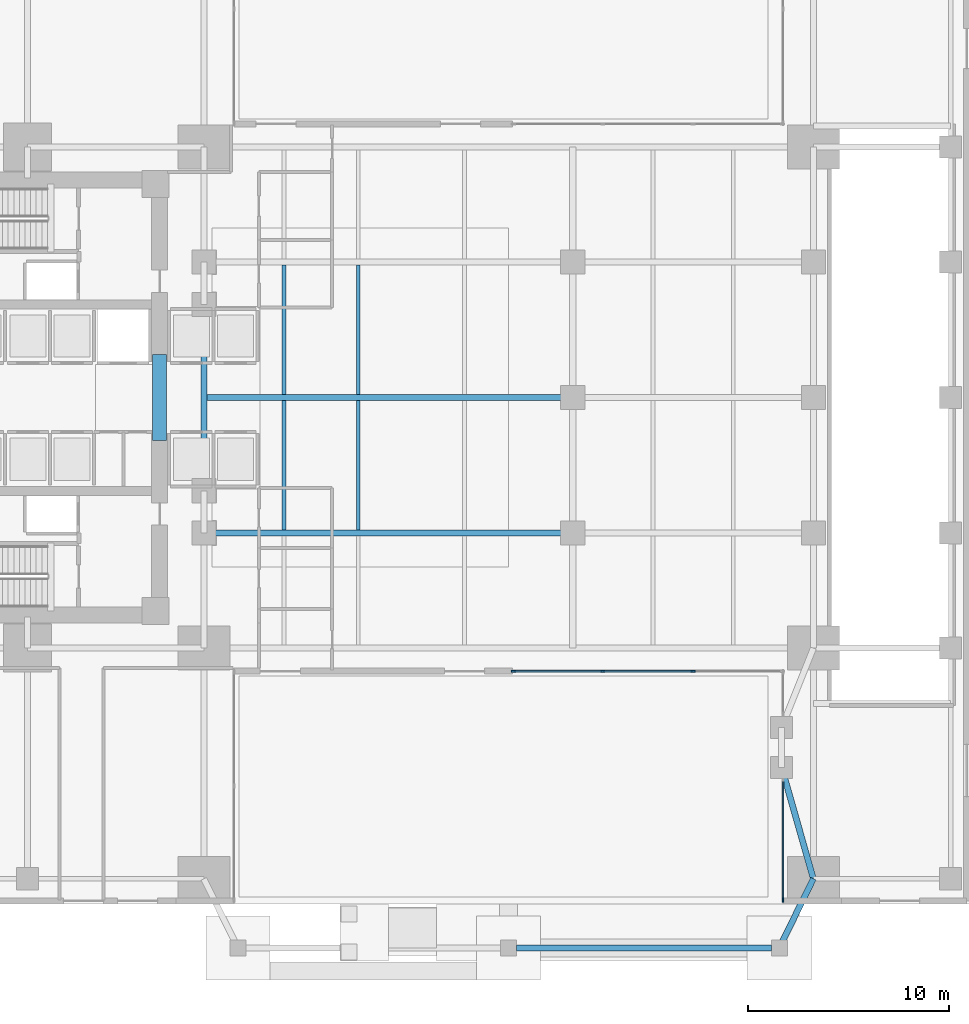
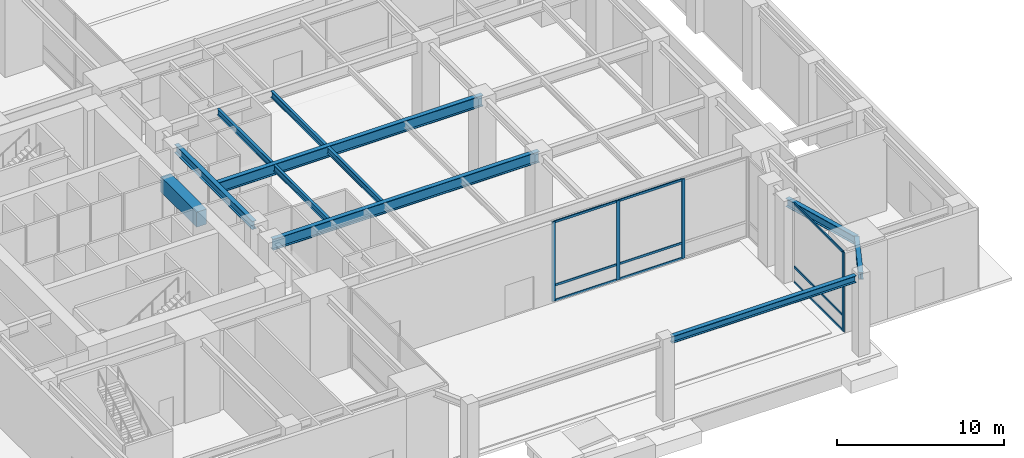
# One storey, part 3 of 17: 13 members, 11 beams, 2 elements without a shape of their own.
"""IFC4 building model written with IfcOpenShell, lengths in metres."""

from ifc_helpers import new_model, si_unit, direction, frame, origin, origin_2d, place, context, subcontext, project, spatial, rectangle, i_section, extrude, material, layer, layer_set, material_profile, profile_set, type_object, element, aggregate, save


model = new_model("IFC4")

# Units and contexts
model_context = context("Model", 3, precision=1e-05, world=origin(), true_north=direction((0.0, 1.0)))
body_context = subcontext(model_context, "Body", "Model", "MODEL_VIEW")
ifc_project = project(units=[si_unit("LENGTHUNIT", "METRE"), si_unit("AREAUNIT", "SQUARE_METRE"), si_unit("VOLUMEUNIT", "CUBIC_METRE"), si_unit("PLANEANGLEUNIT", "RADIAN"), si_unit("MASSUNIT", "GRAM", prefix="KILO")], contexts=[model_context])

# Site, building, storey
site_placement = place(None, origin())
site = spatial("IfcSite", under=ifc_project, at=site_placement, CompositionType="ELEMENT")
building_placement = place(site_placement, origin())
building = spatial("IfcBuilding", under=site, at=building_placement, Name="Kinhvarn Gate Tower", CompositionType="ELEMENT")
storey_placement = place(building_placement, origin())
storey = spatial("IfcBuildingStorey", under=building, at=storey_placement, Name="L00", CompositionType="ELEMENT", Elevation=0.0)

# Beam
ifc_material_1 = material(Name="Concrete C70/85", Category="concrete")
ifc_material_profile_1 = material_profile(ifc_material_1, rectangle(XDim=0.699951171875, YDim=1.10009765625, at=origin_2d()), Name="RC 700x1100")
ifc_profile_set_1 = profile_set([ifc_material_profile_1], Name="Concrete C70/85")
beam_type_1 = type_object("IfcBeamType", Name="BM-CB-1100", PredefinedType="LINTEL", material=ifc_profile_set_1)
beam_1_placement = place(storey_placement, frame((17.60009765625, 23.10009765625, 5.25), z_axis=(0.0, 1.0, 0.0), x_axis=(-1.0, 0.0, 0.0)))
element("IfcBeam", 1, at=beam_1_placement, inside=storey, type_object=beam_type_1, Name="Core East Portal Coupling Beam L00", PredefinedType="LINTEL", context=body_context, shape_type="SweptSolid", body=[
    extrude(rectangle(XDim=0.699951171875, YDim=1.10009765625, at=origin_2d()), origin(), (0.0, 0.0, 1.0), 4.2998046875),
])

# Curtain wall, members
ifc_material_2 = material(Name="Anodised aluminium AW-6063", Category="aluminium")
ifc_layer = layer(ifc_material_2, 0.219970703125)
ifc_layer_set = layer_set([ifc_layer], Name="Anodised aluminium AW-6063")
curtain_wall_type = type_object("IfcCurtainWallType", Name="CW-SYS-1", PredefinedType="NOTDEFINED", material=ifc_layer_set)
curtain_wall_1_placement = place(storey_placement, origin())
curtain_wall_1 = element("IfcCurtainWall", 2, at=curtain_wall_1_placement, inside=storey, type_object=curtain_wall_type, Name="Curtain Wall CW1 (L00)", PredefinedType="NOTDEFINED")
ifc_material_profile_2 = material_profile(ifc_material_2, rectangle(XDim=0.080078125, YDim=0.219970703125, at=origin_2d()), Name="ALU 80x220")
ifc_profile_set_2 = profile_set([ifc_material_profile_2], Name="Anodised aluminium AW-6063")
member_type_1 = type_object("IfcMemberType", Name="CW-MUL-220", PredefinedType="MULLION", material=ifc_profile_set_2)
member_1_placement = place(storey_placement, frame((35.239990234375, 11.60009765625, 0.0), z_axis=(0.0, 0.0, 1.0), x_axis=(0.0, 1.0, 0.0)))
member_1 = element("IfcMember", 3, at=member_1_placement, type_object=member_type_1, Name="CW1 mullion 1", PredefinedType="MULLION", context=body_context, shape_type="SweptSolid", body=[
    extrude(rectangle(XDim=0.080078125, YDim=0.219970703125, at=origin_2d()), origin(), (0.0, 0.0, 1.0), 5.800048828125),
])
member_2_placement = place(storey_placement, frame((39.69677734375, 11.60009765625, 0.0), z_axis=(0.0, 0.0, 1.0), x_axis=(0.0, 1.0, 0.0)))
member_2 = element("IfcMember", 4, at=member_2_placement, type_object=member_type_1, Name="CW1 mullion 2", PredefinedType="MULLION", context=body_context, shape_type="SweptSolid", body=[
    extrude(rectangle(XDim=0.080078125, YDim=0.219970703125, at=origin_2d()), origin(), (0.0, 0.0, 1.0), 5.800048828125),
])
member_3_placement = place(storey_placement, frame((44.193359375, 11.60009765625, 0.0), z_axis=(0.0, 0.0, 1.0), x_axis=(0.0, 1.0, 0.0)))
member_3 = element("IfcMember", 5, at=member_3_placement, type_object=member_type_1, Name="CW1 mullion 3", PredefinedType="MULLION", context=body_context, shape_type="SweptSolid", body=[
    extrude(rectangle(XDim=0.080078125, YDim=0.219970703125, at=origin_2d()), origin(), (0.0, 0.0, 1.0), 5.800048828125),
])

# Curtain wall, member
curtain_wall_2_placement = place(storey_placement, origin())
curtain_wall_2 = element("IfcCurtainWall", 6, at=curtain_wall_2_placement, inside=storey, type_object=curtain_wall_type, Name="Curtain Wall CW1 (L00)", PredefinedType="NOTDEFINED")
member_4_placement = place(storey_placement, frame((48.68994140625, 0.18994140625, 0.0), z_axis=(0.0, 0.0, 1.0), x_axis=(1.0, 0.0, 0.0)))
member_4 = element("IfcMember", 7, at=member_4_placement, type_object=member_type_1, Name="CW1 mullion 2", PredefinedType="MULLION", context=body_context, shape_type="SweptSolid", body=[
    extrude(rectangle(XDim=0.080078125, YDim=0.219970703125, at=origin_2d()), origin(), (0.0, 0.0, 1.0), 5.800048828125),
])

# Member
ifc_material_profile_3 = material_profile(ifc_material_2, rectangle(XDim=0.080078125, YDim=0.159912109375, at=origin_2d()), Name="ALU 80x160")
ifc_profile_set_3 = profile_set([ifc_material_profile_3], Name="Anodised aluminium AW-6063")
member_type_2 = type_object("IfcMemberType", Name="CW-TRN-160", PredefinedType="USERDEFINED", material=ifc_profile_set_3)
member_5_placement = place(storey_placement, frame((35.280029296875, 11.60009765625, 0.0400390625), z_axis=(1.0, 0.0, 0.0), x_axis=(0.0, 1.0, 0.0)))
member_5 = element("IfcMember", 8, at=member_5_placement, type_object=member_type_2, Name="CW1 transom 1.1", ObjectType="TRANSOM", PredefinedType="USERDEFINED", context=body_context, shape_type="SweptSolid", body=[
    extrude(rectangle(XDim=0.080078125, YDim=0.159912109375, at=origin_2d()), origin(), (0.0, 0.0, 1.0), 4.376708984375),
])

member_6_placement = place(storey_placement, frame((35.280029296875, 11.60009765625, 1.14990234375), z_axis=(1.0, 0.0, 0.0), x_axis=(0.0, 1.0, 0.0)))
member_6 = element("IfcMember", 9, at=member_6_placement, type_object=member_type_2, Name="CW1 transom 1.2", ObjectType="TRANSOM", PredefinedType="USERDEFINED", context=body_context, shape_type="SweptSolid", body=[
    extrude(rectangle(XDim=0.080078125, YDim=0.159912109375, at=origin_2d()), origin(), (0.0, 0.0, 1.0), 4.376708984375),
])

member_7_placement = place(storey_placement, frame((35.280029296875, 11.60009765625, 5.760009765625), z_axis=(1.0, 0.0, 0.0), x_axis=(0.0, 1.0, 0.0)))
member_7 = element("IfcMember", 10, at=member_7_placement, type_object=member_type_2, Name="CW1 transom 1.3", ObjectType="TRANSOM", PredefinedType="USERDEFINED", context=body_context, shape_type="SweptSolid", body=[
    extrude(rectangle(XDim=0.080078125, YDim=0.159912109375, at=origin_2d()), origin(), (0.0, 0.0, 1.0), 4.376708984375),
])

member_8_placement = place(storey_placement, frame((39.736572265625, 11.60009765625, 0.0400390625), z_axis=(1.0, 0.0, 0.0), x_axis=(0.0, 1.0, 0.0)))
member_8 = element("IfcMember", 11, at=member_8_placement, type_object=member_type_2, Name="CW1 transom 2.1", ObjectType="TRANSOM", PredefinedType="USERDEFINED", context=body_context, shape_type="SweptSolid", body=[
    extrude(rectangle(XDim=0.080078125, YDim=0.159912109375, at=origin_2d()), origin(), (0.0, 0.0, 1.0), 4.416748046875),
])

member_9_placement = place(storey_placement, frame((39.736572265625, 11.60009765625, 1.14990234375), z_axis=(1.0, 0.0, 0.0), x_axis=(0.0, 1.0, 0.0)))
member_9 = element("IfcMember", 12, at=member_9_placement, type_object=member_type_2, Name="CW1 transom 2.2", ObjectType="TRANSOM", PredefinedType="USERDEFINED", context=body_context, shape_type="SweptSolid", body=[
    extrude(rectangle(XDim=0.080078125, YDim=0.159912109375, at=origin_2d()), origin(), (0.0, 0.0, 1.0), 4.416748046875),
])

member_10_placement = place(storey_placement, frame((39.736572265625, 11.60009765625, 5.760009765625), z_axis=(1.0, 0.0, 0.0), x_axis=(0.0, 1.0, 0.0)))
member_10 = element("IfcMember", 13, at=member_10_placement, type_object=member_type_2, Name="CW1 transom 2.3", ObjectType="TRANSOM", PredefinedType="USERDEFINED", context=body_context, shape_type="SweptSolid", body=[
    extrude(rectangle(XDim=0.080078125, YDim=0.159912109375, at=origin_2d()), origin(), (0.0, 0.0, 1.0), 4.416748046875),
])

aggregate(curtain_wall_1, [member_1, member_2, member_3, member_5, member_6, member_7, member_8, member_9, member_10])

member_11_placement = place(storey_placement, frame((48.68994140625, 6.090087890625, 0.0400390625), z_axis=(0.0, -1.0, 0.0), x_axis=(1.0, 0.0, 0.0)))
member_11 = element("IfcMember", 14, at=member_11_placement, type_object=member_type_2, Name="CW1 transom 1.1", ObjectType="TRANSOM", PredefinedType="USERDEFINED", context=body_context, shape_type="SweptSolid", body=[
    extrude(rectangle(XDim=0.080078125, YDim=0.159912109375, at=origin_2d()), origin(), (0.0, 0.0, 1.0), 5.860107421875),
])

member_12_placement = place(storey_placement, frame((48.68994140625, 6.090087890625, 1.14990234375), z_axis=(0.0, -1.0, 0.0), x_axis=(1.0, 0.0, 0.0)))
member_12 = element("IfcMember", 15, at=member_12_placement, type_object=member_type_2, Name="CW1 transom 1.2", ObjectType="TRANSOM", PredefinedType="USERDEFINED", context=body_context, shape_type="SweptSolid", body=[
    extrude(rectangle(XDim=0.080078125, YDim=0.159912109375, at=origin_2d()), origin(), (0.0, 0.0, 1.0), 5.860107421875),
])

member_13_placement = place(storey_placement, frame((48.68994140625, 6.090087890625, 5.760009765625), z_axis=(0.0, -1.0, 0.0), x_axis=(1.0, 0.0, 0.0)))
member_13 = element("IfcMember", 16, at=member_13_placement, type_object=member_type_2, Name="CW1 transom 1.3", ObjectType="TRANSOM", PredefinedType="USERDEFINED", context=body_context, shape_type="SweptSolid", body=[
    extrude(rectangle(XDim=0.080078125, YDim=0.159912109375, at=origin_2d()), origin(), (0.0, 0.0, 1.0), 5.860107421875),
])

aggregate(curtain_wall_2, [member_4, member_11, member_12, member_13])

# Beams
ifc_material_3 = material(Name="Steel S355", Category="steel")
ifc_material_profile_4 = material_profile(ifc_material_3, i_section(OverallWidth=0.300048828125, OverallDepth=0.5, WebThickness=0.014404296875, FlangeThickness=0.028076171875, at=origin_2d()), Name="HEB 500")
ifc_profile_set_4 = profile_set([ifc_material_profile_4], Name="Steel S355")
beam_type_2 = type_object("IfcBeamType", Name="STL-HEB500", PredefinedType="BEAM", material=ifc_profile_set_4)
beam_2_placement = place(storey_placement, frame((35.39990234375, -2.199951171875, 5.550048828125), z_axis=(1.0, 0.0, 0.0), x_axis=(0.0, 1.0, 0.0)))
element("IfcBeam", 17, at=beam_2_placement, inside=storey, type_object=beam_type_2, Name="Portico Canopy Front Girder S-2", PredefinedType="BEAM", context=body_context, shape_type="SweptSolid", body=[
    extrude(i_section(OverallWidth=0.300048828125, OverallDepth=0.5, WebThickness=0.014404296875, FlangeThickness=0.028076171875, at=origin_2d()), origin(), (0.0, 0.0, 1.0), 12.7001953125),
])
beam_3_placement = place(storey_placement, frame((48.5, -2.199951171875, 5.550048828125), z_axis=(0.442000785414, 0.897014663031, 0.0), x_axis=(-0.897014663031, 0.442000785414, 0.0)))
element("IfcBeam", 18, at=beam_3_placement, inside=storey, type_object=beam_type_2, Name="Portico Canopy East Tie Girder S", PredefinedType="BEAM", context=body_context, shape_type="SweptSolid", body=[
    extrude(i_section(OverallWidth=0.300048828125, OverallDepth=0.5, WebThickness=0.014404296875, FlangeThickness=0.028076171875, at=origin_2d()), origin(), (0.0, 0.0, 1.0), 3.845947265625),
])
ifc_material_profile_5 = material_profile(ifc_material_3, i_section(OverallWidth=0.300048828125, OverallDepth=0.60009765625, WebThickness=0.015380859375, FlangeThickness=0.030029296875, at=origin_2d()), Name="HEB 600")
ifc_profile_set_5 = profile_set([ifc_material_profile_5], Name="Steel S355")
beam_type_3 = type_object("IfcBeamType", Name="STL-HEB600", PredefinedType="BEAM", material=ifc_profile_set_5)
beam_4_placement = place(storey_placement, frame((48.6201171875, 6.800048828125, 5.5), z_axis=(0.273776643474, -0.961793298733, 0.0), x_axis=(0.961793298733, 0.273776643474, 0.0)))
element("IfcBeam", 19, at=beam_4_placement, inside=storey, type_object=beam_type_3, Name="Floor Beam PG-16 (L00 TIE-SE1-AP)", PredefinedType="BEAM", context=body_context, shape_type="SweptSolid", body=[
    extrude(i_section(OverallWidth=0.300048828125, OverallDepth=0.60009765625, WebThickness=0.015380859375, FlangeThickness=0.030029296875, at=origin_2d()), origin(), (0.0, 0.0, 1.0), 5.7705078125),
])
beam_5_placement = place(storey_placement, frame((19.800048828125, 20.60009765625, 5.5), z_axis=(0.0, 1.0, 0.0), x_axis=(-1.0, 0.0, 0.0)))
element("IfcBeam", 20, at=beam_5_placement, inside=storey, type_object=beam_type_3, Name="Floor Beam PG-16 (L00 APW-4)", PredefinedType="BEAM", context=body_context, shape_type="SweptSolid", body=[
    extrude(i_section(OverallWidth=0.300048828125, OverallDepth=0.60009765625, WebThickness=0.015380859375, FlangeThickness=0.030029296875, at=origin_2d()), origin(), (0.0, 0.0, 1.0), 9.2998046875),
])
ifc_material_profile_6 = material_profile(ifc_material_3, i_section(OverallWidth=0.300048828125, OverallDepth=0.800048828125, WebThickness=0.017578125, FlangeThickness=0.032958984375, at=origin_2d()), Name="HEB 800")
ifc_profile_set_6 = profile_set([ifc_material_profile_6], Name="Steel S355")
beam_type_4 = type_object("IfcBeamType", Name="STL-HEB800", PredefinedType="BEAM", material=ifc_profile_set_6)
for number, where, z_axis, x_axis, name in (
    (21, (19.800048828125, 18.5, 5.39990234375), (1.0, 0.0, 0.0), (0.0, 1.0, 0.0), "Floor Beam PG-19 (L00 POD-EW1-18)"),
    (22, (19.800048828125, 25.25, 5.39990234375), (1.0, 0.0, 0.0), (0.0, 1.0, 0.0), "Floor Beam PG-19 (L00 POD-EW1-25)"),
):
    element("IfcBeam", number, at=place(storey_placement, frame(where, z_axis=z_axis, x_axis=x_axis)), inside=storey, type_object=beam_type_4, Name=name, PredefinedType="BEAM", context=body_context, shape_type="SweptSolid", body=[
        extrude(i_section(OverallWidth=0.300048828125, OverallDepth=0.800048828125, WebThickness=0.017578125, FlangeThickness=0.032958984375, at=origin_2d()), origin(), (0.0, 0.0, 1.0), 18.39990234375),
    ])
ifc_material_profile_7 = material_profile(ifc_material_3, i_section(OverallWidth=0.18994140625, OverallDepth=0.449951171875, WebThickness=0.009521484375, FlangeThickness=0.0146484375, at=origin_2d()), Name="IPE 450")
ifc_profile_set_7 = profile_set([ifc_material_profile_7], Name="Steel S355")
beam_type_5 = type_object("IfcBeamType", Name="STL-IPE450", PredefinedType="JOIST", material=ifc_profile_set_7)
for number, where, z_axis, x_axis, name in (
    (23, (23.800048828125, 18.64990234375, 5.574951171875), (0.0, 1.0, 0.0), (-1.0, 0.0, 0.0), "Floor Joist SB-06 (L00 POD-J238-18)"),
    (24, (27.5, 18.64990234375, 5.574951171875), (0.0, 1.0, 0.0), (-1.0, 0.0, 0.0), "Floor Joist SB-06 (L00 POD-J275-18)"),
    (25, (23.800048828125, 25.39990234375, 5.574951171875), (0.0, 1.0, 0.0), (-1.0, 0.0, 0.0), "Floor Joist SB-06 (L00 POD-J238-25)"),
    (26, (27.5, 25.39990234375, 5.574951171875), (0.0, 1.0, 0.0), (-1.0, 0.0, 0.0), "Floor Joist SB-06 (L00 POD-J275-25)"),
):
    element("IfcBeam", number, at=place(storey_placement, frame(where, z_axis=z_axis, x_axis=x_axis)), inside=storey, type_object=beam_type_5, Name=name, PredefinedType="JOIST", context=body_context, shape_type="SweptSolid", body=[
        extrude(i_section(OverallWidth=0.18994140625, OverallDepth=0.449951171875, WebThickness=0.009521484375, FlangeThickness=0.0146484375, at=origin_2d()), origin(), (0.0, 0.0, 1.0), 6.4501953125),
    ])

save(model, "model.ifc")
